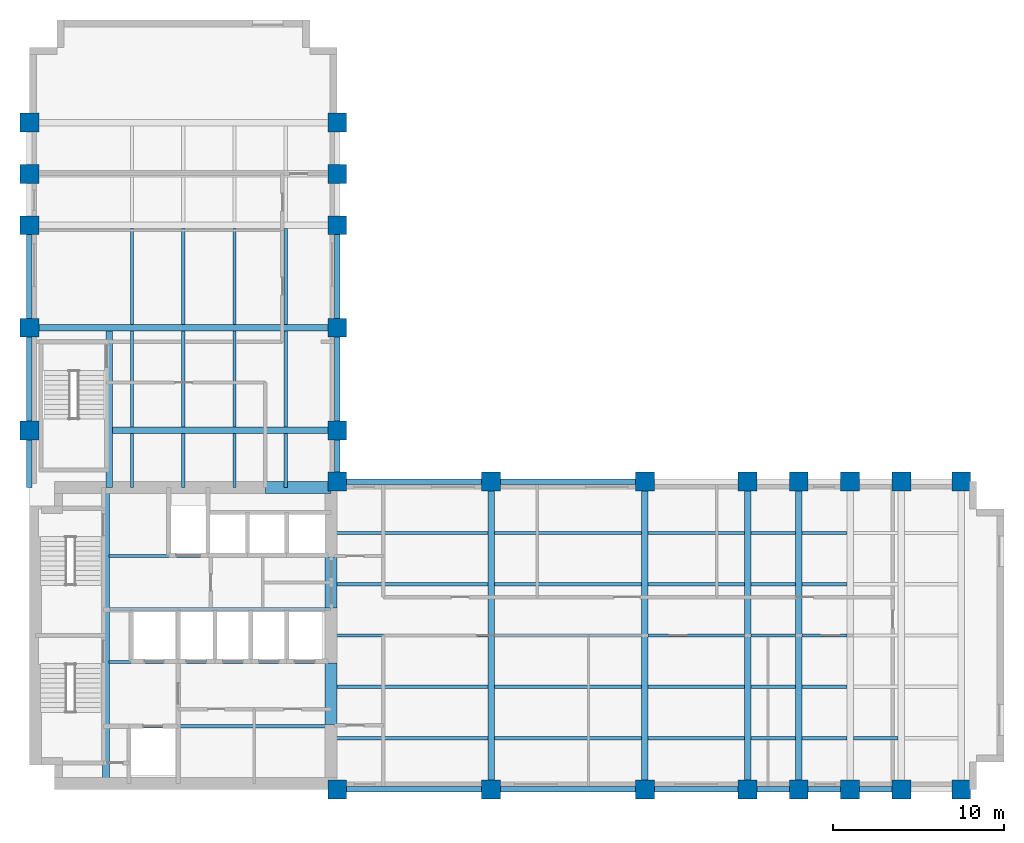
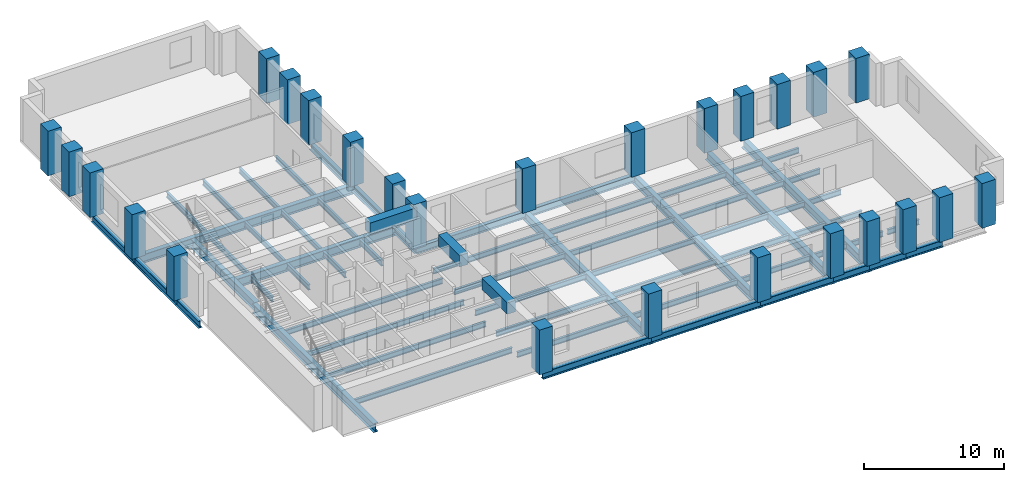
# One storey, part 1 of 7: 67 beams, 26 columns.
"""IFC4 building model written with IfcOpenShell, lengths in metres."""

from ifc_helpers import new_model, si_unit, direction, frame, origin, origin_2d, place, context, subcontext, project, spatial, rectangle, i_section, extrude, material, material_profile, profile_set, type_object, element, save


model = new_model("IFC4")

# Units and contexts
model_context = context("Model", 3, precision=1e-05, world=origin(), true_north=direction((0.0, 1.0)))
body_context = subcontext(model_context, "Body", "Model", "MODEL_VIEW")
ifc_project = project(units=[si_unit("LENGTHUNIT", "METRE"), si_unit("AREAUNIT", "SQUARE_METRE"), si_unit("VOLUMEUNIT", "CUBIC_METRE"), si_unit("PLANEANGLEUNIT", "RADIAN"), si_unit("MASSUNIT", "GRAM", prefix="KILO")], contexts=[model_context])

# Site, building, storey
site_placement = place(None, origin())
site = spatial("IfcSite", under=ifc_project, at=site_placement, CompositionType="ELEMENT")
building_placement = place(site_placement, origin())
building = spatial("IfcBuilding", under=site, at=building_placement, Name="Mawjdan Bourse Tower", CompositionType="ELEMENT")
storey_placement = place(building_placement, frame((0.0, 0.0, 108.89990234375)))
storey = spatial("IfcBuildingStorey", under=building, at=storey_placement, Name="L25", CompositionType="ELEMENT", Elevation=108.89990234375)

# Columns
ifc_material_1 = material(Name="Concrete C70/85", Category="concrete")
ifc_material_profile_1 = material_profile(ifc_material_1, rectangle(XDim=1.10009765625, YDim=1.10009765625, at=origin_2d()), Name="RC1100X1100")
ifc_profile_set_1 = profile_set([ifc_material_profile_1], Name="Concrete C70/85")
column_type = type_object("IfcColumnType", Name="COL-RC1100X1100", PredefinedType="COLUMN", material=ifc_profile_set_1)
for number, where, z_axis, x_axis, name in (
    (1, (24.0, 3.0, 0.0), (0.0, 0.0, 1.0), (1.0, 0.0, 0.0), "L25 Structural Column C-X240-Y30"),
    (2, (24.0, 21.0, 0.0), (0.0, 0.0, 1.0), (1.0, 0.0, 0.0), "L25 Structural Column C-X240-Y210"),
    (3, (33.0, 3.0, 0.0), (0.0, 0.0, 1.0), (1.0, 0.0, 0.0), "L25 Structural Column C-X330-Y30"),
    (4, (33.0, 21.0, 0.0), (0.0, 0.0, 1.0), (1.0, 0.0, 0.0), "L25 Structural Column C-X330-Y210"),
    (5, (42.0, 3.0, 0.0), (0.0, 0.0, 1.0), (1.0, 0.0, 0.0), "L25 Structural Column C-X420-Y30"),
    (6, (42.0, 21.0, 0.0), (0.0, 0.0, 1.0), (1.0, 0.0, 0.0), "L25 Structural Column C-X420-Y210"),
    (7, (48.0, 3.0, 0.0), (0.0, 0.0, 1.0), (1.0, 0.0, 0.0), "L25 Structural Column C-X480-Y30"),
    (8, (48.0, 21.0, 0.0), (0.0, 0.0, 1.0), (1.0, 0.0, 0.0), "L25 Structural Column C-X480-Y210"),
    (9, (51.0, 3.0, 0.0), (0.0, 0.0, 1.0), (1.0, 0.0, 0.0), "L25 Structural Column C-X510-Y30"),
    (10, (51.0, 21.0, 0.0), (0.0, 0.0, 1.0), (1.0, 0.0, 0.0), "L25 Structural Column C-X510-Y210"),
    (11, (54.0, 3.0, 0.0), (0.0, 0.0, 1.0), (1.0, 0.0, 0.0), "L25 Structural Column C-X540-Y30"),
    (12, (54.0, 21.0, 0.0), (0.0, 0.0, 1.0), (1.0, 0.0, 0.0), "L25 Structural Column C-X540-Y210"),
    (13, (57.0, 3.0, 0.0), (0.0, 0.0, 1.0), (1.0, 0.0, 0.0), "L25 Structural Column C-X570-Y30"),
    (14, (57.0, 21.0, 0.0), (0.0, 0.0, 1.0), (1.0, 0.0, 0.0), "L25 Structural Column C-X570-Y210"),
    (15, (60.5, 3.0, 0.0), (0.0, 0.0, 1.0), (1.0, 0.0, 0.0), "L25 Structural Column C-X605-Y30"),
    (16, (60.5, 21.0, 0.0), (0.0, 0.0, 1.0), (1.0, 0.0, 0.0), "L25 Structural Column C-X605-Y210"),
    (17, (6.0, 24.0, 0.0), (0.0, 0.0, 1.0), (1.0, 0.0, 0.0), "L25 Structural Column C-X60-Y240"),
    (18, (24.0, 24.0, 0.0), (0.0, 0.0, 1.0), (1.0, 0.0, 0.0), "L25 Structural Column C-X240-Y240"),
    (19, (6.0, 30.0, 0.0), (0.0, 0.0, 1.0), (1.0, 0.0, 0.0), "L25 Structural Column C-X60-Y300"),
    (20, (24.0, 30.0, 0.0), (0.0, 0.0, 1.0), (1.0, 0.0, 0.0), "L25 Structural Column C-X240-Y300"),
    (21, (6.0, 36.0, 0.0), (0.0, 0.0, 1.0), (1.0, 0.0, 0.0), "L25 Structural Column C-X60-Y360"),
    (22, (24.0, 36.0, 0.0), (0.0, 0.0, 1.0), (1.0, 0.0, 0.0), "L25 Structural Column C-X240-Y360"),
    (23, (6.0, 39.0, 0.0), (0.0, 0.0, 1.0), (1.0, 0.0, 0.0), "L25 Structural Column C-X60-Y390"),
    (24, (24.0, 39.0, 0.0), (0.0, 0.0, 1.0), (1.0, 0.0, 0.0), "L25 Structural Column C-X240-Y390"),
    (25, (6.0, 42.0, 0.0), (0.0, 0.0, 1.0), (1.0, 0.0, 0.0), "L25 Structural Column C-X60-Y420"),
    (26, (24.0, 42.0, 0.0), (0.0, 0.0, 1.0), (1.0, 0.0, 0.0), "L25 Structural Column C-X240-Y420"),
):
    element("IfcColumn", number, at=place(storey_placement, frame(where, z_axis=z_axis, x_axis=x_axis)), inside=storey, type_object=column_type, Name=name, PredefinedType="COLUMN", context=body_context, shape_type="SweptSolid", body=[
        extrude(rectangle(XDim=1.10009765625, YDim=1.10009765625, at=origin_2d()), origin(), (0.0, 0.0, 1.0), 3.900146484375),
    ])

# Beams
ifc_material_2 = material(Name="Structural Steel S355", Category="steel")
ifc_material_profile_2 = material_profile(ifc_material_2, i_section(OverallWidth=0.381103515625, OverallDepth=0.77294921875, WebThickness=0.0166015625, FlangeThickness=0.027099609375, FilletRadius=0.021728515625, at=origin_2d()), Name="W30X173")
ifc_profile_set_2 = profile_set([ifc_material_profile_2], Name="Structural Steel S355")
beam_type_1 = type_object("IfcBeamType", Name="GRD-W30X173", PredefinedType="BEAM", material=ifc_profile_set_2)
beam_1_placement = place(storey_placement, frame((10.47998046875, 3.35009765625, -0.58642578125), z_axis=(0.0, 1.0, 0.0), x_axis=(-1.0, 0.0, 0.0)))
element("IfcBeam", 27, at=beam_1_placement, inside=storey, type_object=beam_type_1, Name="L25 Core Stair Trimmer Girder 001", PredefinedType="BEAM", context=body_context, shape_type="SweptSolid", body=[
    extrude(i_section(OverallWidth=0.381103515625, OverallDepth=0.77294921875, WebThickness=0.0166015625, FlangeThickness=0.027099609375, FilletRadius=0.021728515625, at=origin_2d()), origin(), (0.0, 0.0, 1.0), 17.2998046875),
])
for number, where, z_axis, x_axis, name in (
    (28, (33.0, 3.0, -0.58642578125), (0.0, 1.0, 0.0), (-1.0, 0.0, 0.0), "L25 East Wing Clear-Span Girder 002"),
    (29, (42.0, 3.0, -0.58642578125), (0.0, 1.0, 0.0), (-1.0, 0.0, 0.0), "L25 East Wing Clear-Span Girder 003"),
    (30, (48.0, 3.0, -0.58642578125), (0.0, 1.0, 0.0), (-1.0, 0.0, 0.0), "L25 East Wing Clear-Span Girder 004"),
    (31, (51.0, 3.0, -0.58642578125), (0.0, 1.0, 0.0), (-1.0, 0.0, 0.0), "L25 East Wing Clear-Span Girder 005"),
):
    element("IfcBeam", number, at=place(storey_placement, frame(where, z_axis=z_axis, x_axis=x_axis)), inside=storey, type_object=beam_type_1, Name=name, PredefinedType="BEAM", context=body_context, shape_type="SweptSolid", body=[
        extrude(i_section(OverallWidth=0.381103515625, OverallDepth=0.77294921875, WebThickness=0.0166015625, FlangeThickness=0.027099609375, FilletRadius=0.021728515625, at=origin_2d()), origin(), (0.0, 0.0, 1.0), 18.0),
    ])
beam_2_placement = place(storey_placement, frame((10.679931640625, 20.64990234375, -0.58642578125), z_axis=(0.0, 1.0, 0.0), x_axis=(-1.0, 0.0, 0.0)))
element("IfcBeam", 32, at=beam_2_placement, inside=storey, type_object=beam_type_1, Name="L25 North Wing Stair Trimmer Girder 062", PredefinedType="BEAM", context=body_context, shape_type="SweptSolid", body=[
    extrude(i_section(OverallWidth=0.381103515625, OverallDepth=0.77294921875, WebThickness=0.0166015625, FlangeThickness=0.027099609375, FilletRadius=0.021728515625, at=origin_2d()), origin(), (0.0, 0.0, 1.0), 9.16162109375),
])
beam_3_placement = place(storey_placement, frame((10.868408203125, 24.0, -0.58642578125), z_axis=(1.0, 0.0, 0.0), x_axis=(0.0, 1.0, 0.0)))
element("IfcBeam", 33, at=beam_3_placement, inside=storey, type_object=beam_type_1, Name="L25 North Wing Clear-Span Girder 063", PredefinedType="BEAM", context=body_context, shape_type="SweptSolid", body=[
    extrude(i_section(OverallWidth=0.381103515625, OverallDepth=0.77294921875, WebThickness=0.0166015625, FlangeThickness=0.027099609375, FilletRadius=0.021728515625, at=origin_2d()), origin(), (0.0, 0.0, 1.0), 13.131591796875),
])
beam_4_placement = place(storey_placement, frame((6.0, 30.0, -0.58642578125), z_axis=(1.0, 0.0, 0.0), x_axis=(0.0, 1.0, 0.0)))
element("IfcBeam", 34, at=beam_4_placement, inside=storey, type_object=beam_type_1, Name="L25 North Wing Clear-Span Girder 064", PredefinedType="BEAM", context=body_context, shape_type="SweptSolid", body=[
    extrude(i_section(OverallWidth=0.381103515625, OverallDepth=0.77294921875, WebThickness=0.0166015625, FlangeThickness=0.027099609375, FilletRadius=0.021728515625, at=origin_2d()), origin(), (0.0, 0.0, 1.0), 18.0),
])
ifc_material_profile_3 = material_profile(ifc_material_2, i_section(OverallWidth=0.19189453125, OverallDepth=0.462890625, WebThickness=0.010498046875, FlangeThickness=0.017578125, FilletRadius=0.01416015625, at=origin_2d()), Name="W18X60")
ifc_profile_set_3 = profile_set([ifc_material_profile_3], Name="Structural Steel S355")
beam_type_2 = type_object("IfcBeamType", Name="JST-W18X60", PredefinedType="JOIST", material=ifc_profile_set_3)
beam_5_placement = place(storey_placement, frame((23.64990234375, 6.0, -0.431396484375), z_axis=(1.0, 0.0, 0.0), x_axis=(0.0, 1.0, 0.0)))
element("IfcBeam", 35, at=beam_5_placement, inside=storey, type_object=beam_type_2, Name="L25 East Wing Composite Joist 023", PredefinedType="JOIST", context=body_context, shape_type="SweptSolid", body=[
    extrude(i_section(OverallWidth=0.19189453125, OverallDepth=0.462890625, WebThickness=0.010498046875, FlangeThickness=0.017578125, FilletRadius=0.01416015625, at=origin_2d()), origin(), (0.0, 0.0, 1.0), 9.16162109375),
])
beam_6_placement = place(storey_placement, frame((33.1884765625, 6.0, -0.431396484375), z_axis=(1.0, 0.0, 0.0), x_axis=(0.0, 1.0, 0.0)))
element("IfcBeam", 36, at=beam_6_placement, inside=storey, type_object=beam_type_2, Name="L25 East Wing Composite Joist 024", PredefinedType="JOIST", context=body_context, shape_type="SweptSolid", body=[
    extrude(i_section(OverallWidth=0.19189453125, OverallDepth=0.462890625, WebThickness=0.010498046875, FlangeThickness=0.017578125, FilletRadius=0.01416015625, at=origin_2d()), origin(), (0.0, 0.0, 1.0), 8.623046875),
])
beam_7_placement = place(storey_placement, frame((42.1884765625, 6.0, -0.431396484375), z_axis=(1.0, 0.0, 0.0), x_axis=(0.0, 1.0, 0.0)))
element("IfcBeam", 37, at=beam_7_placement, inside=storey, type_object=beam_type_2, Name="L25 East Wing Composite Joist 025", PredefinedType="JOIST", context=body_context, shape_type="SweptSolid", body=[
    extrude(i_section(OverallWidth=0.19189453125, OverallDepth=0.462890625, WebThickness=0.010498046875, FlangeThickness=0.017578125, FilletRadius=0.01416015625, at=origin_2d()), origin(), (0.0, 0.0, 1.0), 5.623046875),
])
for number, where, z_axis, x_axis, name in (
    (38, (48.1884765625, 6.0, -0.431396484375), (1.0, 0.0, 0.0), (0.0, 1.0, 0.0), "L25 East Wing Composite Joist 026"),
    (39, (51.1884765625, 6.0, -0.431396484375), (1.0, 0.0, 0.0), (0.0, 1.0, 0.0), "L25 East Wing Composite Joist 027"),
    (40, (54.1884765625, 6.0, -0.431396484375), (1.0, 0.0, 0.0), (0.0, 1.0, 0.0), "L25 East Wing Composite Joist 028"),
):
    element("IfcBeam", number, at=place(storey_placement, frame(where, z_axis=z_axis, x_axis=x_axis)), inside=storey, type_object=beam_type_2, Name=name, PredefinedType="JOIST", context=body_context, shape_type="SweptSolid", body=[
        extrude(i_section(OverallWidth=0.19189453125, OverallDepth=0.462890625, WebThickness=0.010498046875, FlangeThickness=0.017578125, FilletRadius=0.01416015625, at=origin_2d()), origin(), (0.0, 0.0, 1.0), 2.623046875),
    ])
beam_8_placement = place(storey_placement, frame((23.64990234375, 9.0, -0.431396484375), z_axis=(1.0, 0.0, 0.0), x_axis=(0.0, 1.0, 0.0)))
element("IfcBeam", 41, at=beam_8_placement, inside=storey, type_object=beam_type_2, Name="L25 East Wing Composite Joist 030", PredefinedType="JOIST", context=body_context, shape_type="SweptSolid", body=[
    extrude(i_section(OverallWidth=0.19189453125, OverallDepth=0.462890625, WebThickness=0.010498046875, FlangeThickness=0.017578125, FilletRadius=0.01416015625, at=origin_2d()), origin(), (0.0, 0.0, 1.0), 9.16162109375),
])
beam_9_placement = place(storey_placement, frame((33.1884765625, 9.0, -0.431396484375), z_axis=(1.0, 0.0, 0.0), x_axis=(0.0, 1.0, 0.0)))
element("IfcBeam", 42, at=beam_9_placement, inside=storey, type_object=beam_type_2, Name="L25 East Wing Composite Joist 031", PredefinedType="JOIST", context=body_context, shape_type="SweptSolid", body=[
    extrude(i_section(OverallWidth=0.19189453125, OverallDepth=0.462890625, WebThickness=0.010498046875, FlangeThickness=0.017578125, FilletRadius=0.01416015625, at=origin_2d()), origin(), (0.0, 0.0, 1.0), 8.623046875),
])
beam_10_placement = place(storey_placement, frame((42.1884765625, 9.0, -0.431396484375), z_axis=(1.0, 0.0, 0.0), x_axis=(0.0, 1.0, 0.0)))
element("IfcBeam", 43, at=beam_10_placement, inside=storey, type_object=beam_type_2, Name="L25 East Wing Composite Joist 032", PredefinedType="JOIST", context=body_context, shape_type="SweptSolid", body=[
    extrude(i_section(OverallWidth=0.19189453125, OverallDepth=0.462890625, WebThickness=0.010498046875, FlangeThickness=0.017578125, FilletRadius=0.01416015625, at=origin_2d()), origin(), (0.0, 0.0, 1.0), 5.623046875),
])
for number, where, z_axis, x_axis, name in (
    (44, (48.1884765625, 9.0, -0.431396484375), (1.0, 0.0, 0.0), (0.0, 1.0, 0.0), "L25 East Wing Composite Joist 033"),
    (45, (51.1884765625, 9.0, -0.431396484375), (1.0, 0.0, 0.0), (0.0, 1.0, 0.0), "L25 East Wing Composite Joist 034"),
):
    element("IfcBeam", number, at=place(storey_placement, frame(where, z_axis=z_axis, x_axis=x_axis)), inside=storey, type_object=beam_type_2, Name=name, PredefinedType="JOIST", context=body_context, shape_type="SweptSolid", body=[
        extrude(i_section(OverallWidth=0.19189453125, OverallDepth=0.462890625, WebThickness=0.010498046875, FlangeThickness=0.017578125, FilletRadius=0.01416015625, at=origin_2d()), origin(), (0.0, 0.0, 1.0), 2.623046875),
    ])
beam_11_placement = place(storey_placement, frame((23.64990234375, 12.0, -0.431396484375), z_axis=(1.0, 0.0, 0.0), x_axis=(0.0, 1.0, 0.0)))
element("IfcBeam", 46, at=beam_11_placement, inside=storey, type_object=beam_type_2, Name="L25 East Wing Composite Joist 037", PredefinedType="JOIST", context=body_context, shape_type="SweptSolid", body=[
    extrude(i_section(OverallWidth=0.19189453125, OverallDepth=0.462890625, WebThickness=0.010498046875, FlangeThickness=0.017578125, FilletRadius=0.01416015625, at=origin_2d()), origin(), (0.0, 0.0, 1.0), 9.16162109375),
])
beam_12_placement = place(storey_placement, frame((33.1884765625, 12.0, -0.431396484375), z_axis=(1.0, 0.0, 0.0), x_axis=(0.0, 1.0, 0.0)))
element("IfcBeam", 47, at=beam_12_placement, inside=storey, type_object=beam_type_2, Name="L25 East Wing Composite Joist 038", PredefinedType="JOIST", context=body_context, shape_type="SweptSolid", body=[
    extrude(i_section(OverallWidth=0.19189453125, OverallDepth=0.462890625, WebThickness=0.010498046875, FlangeThickness=0.017578125, FilletRadius=0.01416015625, at=origin_2d()), origin(), (0.0, 0.0, 1.0), 8.623046875),
])
beam_13_placement = place(storey_placement, frame((42.1884765625, 12.0, -0.431396484375), z_axis=(1.0, 0.0, 0.0), x_axis=(0.0, 1.0, 0.0)))
element("IfcBeam", 48, at=beam_13_placement, inside=storey, type_object=beam_type_2, Name="L25 East Wing Composite Joist 039", PredefinedType="JOIST", context=body_context, shape_type="SweptSolid", body=[
    extrude(i_section(OverallWidth=0.19189453125, OverallDepth=0.462890625, WebThickness=0.010498046875, FlangeThickness=0.017578125, FilletRadius=0.01416015625, at=origin_2d()), origin(), (0.0, 0.0, 1.0), 5.623046875),
])
for number, where, z_axis, x_axis, name in (
    (49, (48.1884765625, 12.0, -0.431396484375), (1.0, 0.0, 0.0), (0.0, 1.0, 0.0), "L25 East Wing Composite Joist 040"),
    (50, (51.1884765625, 12.0, -0.431396484375), (1.0, 0.0, 0.0), (0.0, 1.0, 0.0), "L25 East Wing Composite Joist 041"),
):
    element("IfcBeam", number, at=place(storey_placement, frame(where, z_axis=z_axis, x_axis=x_axis)), inside=storey, type_object=beam_type_2, Name=name, PredefinedType="JOIST", context=body_context, shape_type="SweptSolid", body=[
        extrude(i_section(OverallWidth=0.19189453125, OverallDepth=0.462890625, WebThickness=0.010498046875, FlangeThickness=0.017578125, FilletRadius=0.01416015625, at=origin_2d()), origin(), (0.0, 0.0, 1.0), 2.623046875),
    ])
beam_14_placement = place(storey_placement, frame((23.64990234375, 15.0, -0.431396484375), z_axis=(1.0, 0.0, 0.0), x_axis=(0.0, 1.0, 0.0)))
element("IfcBeam", 51, at=beam_14_placement, inside=storey, type_object=beam_type_2, Name="L25 East Wing Composite Joist 044", PredefinedType="JOIST", context=body_context, shape_type="SweptSolid", body=[
    extrude(i_section(OverallWidth=0.19189453125, OverallDepth=0.462890625, WebThickness=0.010498046875, FlangeThickness=0.017578125, FilletRadius=0.01416015625, at=origin_2d()), origin(), (0.0, 0.0, 1.0), 9.16162109375),
])
beam_15_placement = place(storey_placement, frame((33.1884765625, 15.0, -0.431396484375), z_axis=(1.0, 0.0, 0.0), x_axis=(0.0, 1.0, 0.0)))
element("IfcBeam", 52, at=beam_15_placement, inside=storey, type_object=beam_type_2, Name="L25 East Wing Composite Joist 045", PredefinedType="JOIST", context=body_context, shape_type="SweptSolid", body=[
    extrude(i_section(OverallWidth=0.19189453125, OverallDepth=0.462890625, WebThickness=0.010498046875, FlangeThickness=0.017578125, FilletRadius=0.01416015625, at=origin_2d()), origin(), (0.0, 0.0, 1.0), 8.623046875),
])
beam_16_placement = place(storey_placement, frame((42.1884765625, 15.0, -0.431396484375), z_axis=(1.0, 0.0, 0.0), x_axis=(0.0, 1.0, 0.0)))
element("IfcBeam", 53, at=beam_16_placement, inside=storey, type_object=beam_type_2, Name="L25 East Wing Composite Joist 046", PredefinedType="JOIST", context=body_context, shape_type="SweptSolid", body=[
    extrude(i_section(OverallWidth=0.19189453125, OverallDepth=0.462890625, WebThickness=0.010498046875, FlangeThickness=0.017578125, FilletRadius=0.01416015625, at=origin_2d()), origin(), (0.0, 0.0, 1.0), 5.623046875),
])
for number, where, z_axis, x_axis, name in (
    (54, (48.1884765625, 15.0, -0.431396484375), (1.0, 0.0, 0.0), (0.0, 1.0, 0.0), "L25 East Wing Composite Joist 047"),
    (55, (51.1884765625, 15.0, -0.431396484375), (1.0, 0.0, 0.0), (0.0, 1.0, 0.0), "L25 East Wing Composite Joist 048"),
):
    element("IfcBeam", number, at=place(storey_placement, frame(where, z_axis=z_axis, x_axis=x_axis)), inside=storey, type_object=beam_type_2, Name=name, PredefinedType="JOIST", context=body_context, shape_type="SweptSolid", body=[
        extrude(i_section(OverallWidth=0.19189453125, OverallDepth=0.462890625, WebThickness=0.010498046875, FlangeThickness=0.017578125, FilletRadius=0.01416015625, at=origin_2d()), origin(), (0.0, 0.0, 1.0), 2.623046875),
    ])
beam_17_placement = place(storey_placement, frame((23.64990234375, 18.0, -0.431396484375), z_axis=(1.0, 0.0, 0.0), x_axis=(0.0, 1.0, 0.0)))
element("IfcBeam", 56, at=beam_17_placement, inside=storey, type_object=beam_type_2, Name="L25 East Wing Composite Joist 051", PredefinedType="JOIST", context=body_context, shape_type="SweptSolid", body=[
    extrude(i_section(OverallWidth=0.19189453125, OverallDepth=0.462890625, WebThickness=0.010498046875, FlangeThickness=0.017578125, FilletRadius=0.01416015625, at=origin_2d()), origin(), (0.0, 0.0, 1.0), 9.16162109375),
])
beam_18_placement = place(storey_placement, frame((33.1884765625, 18.0, -0.431396484375), z_axis=(1.0, 0.0, 0.0), x_axis=(0.0, 1.0, 0.0)))
element("IfcBeam", 57, at=beam_18_placement, inside=storey, type_object=beam_type_2, Name="L25 East Wing Composite Joist 052", PredefinedType="JOIST", context=body_context, shape_type="SweptSolid", body=[
    extrude(i_section(OverallWidth=0.19189453125, OverallDepth=0.462890625, WebThickness=0.010498046875, FlangeThickness=0.017578125, FilletRadius=0.01416015625, at=origin_2d()), origin(), (0.0, 0.0, 1.0), 8.623046875),
])
beam_19_placement = place(storey_placement, frame((42.1884765625, 18.0, -0.431396484375), z_axis=(1.0, 0.0, 0.0), x_axis=(0.0, 1.0, 0.0)))
element("IfcBeam", 58, at=beam_19_placement, inside=storey, type_object=beam_type_2, Name="L25 East Wing Composite Joist 053", PredefinedType="JOIST", context=body_context, shape_type="SweptSolid", body=[
    extrude(i_section(OverallWidth=0.19189453125, OverallDepth=0.462890625, WebThickness=0.010498046875, FlangeThickness=0.017578125, FilletRadius=0.01416015625, at=origin_2d()), origin(), (0.0, 0.0, 1.0), 5.623046875),
])
for number, where, z_axis, x_axis, name in (
    (59, (48.1884765625, 18.0, -0.431396484375), (1.0, 0.0, 0.0), (0.0, 1.0, 0.0), "L25 East Wing Composite Joist 054"),
    (60, (51.1884765625, 18.0, -0.431396484375), (1.0, 0.0, 0.0), (0.0, 1.0, 0.0), "L25 East Wing Composite Joist 055"),
):
    element("IfcBeam", number, at=place(storey_placement, frame(where, z_axis=z_axis, x_axis=x_axis)), inside=storey, type_object=beam_type_2, Name=name, PredefinedType="JOIST", context=body_context, shape_type="SweptSolid", body=[
        extrude(i_section(OverallWidth=0.19189453125, OverallDepth=0.462890625, WebThickness=0.010498046875, FlangeThickness=0.017578125, FilletRadius=0.01416015625, at=origin_2d()), origin(), (0.0, 0.0, 1.0), 2.623046875),
    ])
for number, where, z_axis, x_axis, name in (
    (61, (10.66845703125, 6.699951171875, -0.431396484375), (1.0, 0.0, 0.0), (0.0, 1.0, 0.0), "L25 Core Floor Joist 058"),
    (62, (10.66845703125, 10.449951171875, -0.431396484375), (1.0, 0.0, 0.0), (0.0, 1.0, 0.0), "L25 Core Floor Joist 059"),
    (63, (10.66845703125, 13.550048828125, -0.431396484375), (1.0, 0.0, 0.0), (0.0, 1.0, 0.0), "L25 Core Floor Joist 060"),
    (64, (10.66845703125, 16.64990234375, -0.431396484375), (1.0, 0.0, 0.0), (0.0, 1.0, 0.0), "L25 Core Floor Joist 061"),
):
    element("IfcBeam", number, at=place(storey_placement, frame(where, z_axis=z_axis, x_axis=x_axis)), inside=storey, type_object=beam_type_2, Name=name, PredefinedType="JOIST", context=body_context, shape_type="SweptSolid", body=[
        extrude(i_section(OverallWidth=0.19189453125, OverallDepth=0.462890625, WebThickness=0.010498046875, FlangeThickness=0.017578125, FilletRadius=0.01416015625, at=origin_2d()), origin(), (0.0, 0.0, 1.0), 12.9814453125),
    ])
beam_20_placement = place(storey_placement, frame((12.0, 20.64990234375, -0.431396484375), z_axis=(0.0, 1.0, 0.0), x_axis=(-1.0, 0.0, 0.0)))
element("IfcBeam", 65, at=beam_20_placement, inside=storey, type_object=beam_type_2, Name="L25 North Wing Composite Joist 078", PredefinedType="JOIST", context=body_context, shape_type="SweptSolid", body=[
    extrude(i_section(OverallWidth=0.19189453125, OverallDepth=0.462890625, WebThickness=0.010498046875, FlangeThickness=0.017578125, FilletRadius=0.01416015625, at=origin_2d()), origin(), (0.0, 0.0, 1.0), 3.16162109375),
])
for number, where, z_axis, x_axis, name in (
    (66, (12.0, 24.1884765625, -0.431396484375), (0.0, 1.0, 0.0), (-1.0, 0.0, 0.0), "L25 North Wing Composite Joist 079"),
    (67, (12.0, 30.1884765625, -0.431396484375), (0.0, 1.0, 0.0), (-1.0, 0.0, 0.0), "L25 North Wing Composite Joist 080"),
):
    element("IfcBeam", number, at=place(storey_placement, frame(where, z_axis=z_axis, x_axis=x_axis)), inside=storey, type_object=beam_type_2, Name=name, PredefinedType="JOIST", context=body_context, shape_type="SweptSolid", body=[
        extrude(i_section(OverallWidth=0.19189453125, OverallDepth=0.462890625, WebThickness=0.010498046875, FlangeThickness=0.017578125, FilletRadius=0.01416015625, at=origin_2d()), origin(), (0.0, 0.0, 1.0), 5.623046875),
    ])
beam_21_placement = place(storey_placement, frame((15.0, 20.64990234375, -0.431396484375), z_axis=(0.0, 1.0, 0.0), x_axis=(-1.0, 0.0, 0.0)))
element("IfcBeam", 68, at=beam_21_placement, inside=storey, type_object=beam_type_2, Name="L25 North Wing Composite Joist 083", PredefinedType="JOIST", context=body_context, shape_type="SweptSolid", body=[
    extrude(i_section(OverallWidth=0.19189453125, OverallDepth=0.462890625, WebThickness=0.010498046875, FlangeThickness=0.017578125, FilletRadius=0.01416015625, at=origin_2d()), origin(), (0.0, 0.0, 1.0), 3.16162109375),
])
for number, where, z_axis, x_axis, name in (
    (69, (15.0, 24.1884765625, -0.431396484375), (0.0, 1.0, 0.0), (-1.0, 0.0, 0.0), "L25 North Wing Composite Joist 084"),
    (70, (15.0, 30.1884765625, -0.431396484375), (0.0, 1.0, 0.0), (-1.0, 0.0, 0.0), "L25 North Wing Composite Joist 085"),
):
    element("IfcBeam", number, at=place(storey_placement, frame(where, z_axis=z_axis, x_axis=x_axis)), inside=storey, type_object=beam_type_2, Name=name, PredefinedType="JOIST", context=body_context, shape_type="SweptSolid", body=[
        extrude(i_section(OverallWidth=0.19189453125, OverallDepth=0.462890625, WebThickness=0.010498046875, FlangeThickness=0.017578125, FilletRadius=0.01416015625, at=origin_2d()), origin(), (0.0, 0.0, 1.0), 5.623046875),
    ])
beam_22_placement = place(storey_placement, frame((18.0, 20.64990234375, -0.431396484375), z_axis=(0.0, 1.0, 0.0), x_axis=(-1.0, 0.0, 0.0)))
element("IfcBeam", 71, at=beam_22_placement, inside=storey, type_object=beam_type_2, Name="L25 North Wing Composite Joist 088", PredefinedType="JOIST", context=body_context, shape_type="SweptSolid", body=[
    extrude(i_section(OverallWidth=0.19189453125, OverallDepth=0.462890625, WebThickness=0.010498046875, FlangeThickness=0.017578125, FilletRadius=0.01416015625, at=origin_2d()), origin(), (0.0, 0.0, 1.0), 3.16162109375),
])
for number, where, z_axis, x_axis, name in (
    (72, (18.0, 24.1884765625, -0.431396484375), (0.0, 1.0, 0.0), (-1.0, 0.0, 0.0), "L25 North Wing Composite Joist 089"),
    (73, (18.0, 30.1884765625, -0.431396484375), (0.0, 1.0, 0.0), (-1.0, 0.0, 0.0), "L25 North Wing Composite Joist 090"),
):
    element("IfcBeam", number, at=place(storey_placement, frame(where, z_axis=z_axis, x_axis=x_axis)), inside=storey, type_object=beam_type_2, Name=name, PredefinedType="JOIST", context=body_context, shape_type="SweptSolid", body=[
        extrude(i_section(OverallWidth=0.19189453125, OverallDepth=0.462890625, WebThickness=0.010498046875, FlangeThickness=0.017578125, FilletRadius=0.01416015625, at=origin_2d()), origin(), (0.0, 0.0, 1.0), 5.623046875),
    ])
beam_23_placement = place(storey_placement, frame((21.0, 20.64990234375, -0.431396484375), z_axis=(0.0, 1.0, 0.0), x_axis=(-1.0, 0.0, 0.0)))
element("IfcBeam", 74, at=beam_23_placement, inside=storey, type_object=beam_type_2, Name="L25 North Wing Composite Joist 093", PredefinedType="JOIST", context=body_context, shape_type="SweptSolid", body=[
    extrude(i_section(OverallWidth=0.19189453125, OverallDepth=0.462890625, WebThickness=0.010498046875, FlangeThickness=0.017578125, FilletRadius=0.01416015625, at=origin_2d()), origin(), (0.0, 0.0, 1.0), 3.16162109375),
])
for number, where, z_axis, x_axis, name in (
    (75, (21.0, 24.1884765625, -0.431396484375), (0.0, 1.0, 0.0), (-1.0, 0.0, 0.0), "L25 North Wing Composite Joist 094"),
    (76, (21.0, 30.1884765625, -0.431396484375), (0.0, 1.0, 0.0), (-1.0, 0.0, 0.0), "L25 North Wing Composite Joist 095"),
):
    element("IfcBeam", number, at=place(storey_placement, frame(where, z_axis=z_axis, x_axis=x_axis)), inside=storey, type_object=beam_type_2, Name=name, PredefinedType="JOIST", context=body_context, shape_type="SweptSolid", body=[
        extrude(i_section(OverallWidth=0.19189453125, OverallDepth=0.462890625, WebThickness=0.010498046875, FlangeThickness=0.017578125, FilletRadius=0.01416015625, at=origin_2d()), origin(), (0.0, 0.0, 1.0), 5.623046875),
    ])
ifc_material_profile_4 = material_profile(ifc_material_1, rectangle(XDim=0.699951171875, YDim=1.0, at=origin_2d()), Name="RCB700X1000")
ifc_profile_set_4 = profile_set([ifc_material_profile_4], Name="Concrete C70/85")
beam_type_3 = type_object("IfcBeamType", Name="LNT-RCB700X1000", PredefinedType="LINTEL", material=ifc_profile_set_4)
beam_24_placement = place(storey_placement, frame((23.64990234375, 6.800048828125, 3.2001953125), z_axis=(0.0, 1.0, 0.0), x_axis=(-1.0, 0.0, 0.0)))
element("IfcBeam", 77, at=beam_24_placement, inside=storey, type_object=beam_type_3, Name="L25 Coupled Core Lintel CB-E1", PredefinedType="LINTEL", context=body_context, shape_type="SweptSolid", body=[
    extrude(rectangle(XDim=0.699951171875, YDim=1.0, at=origin_2d()), origin(), (0.0, 0.0, 1.0), 3.599853515625),
])
beam_25_placement = place(storey_placement, frame((23.64990234375, 13.60009765625, 3.2001953125), z_axis=(0.0, 1.0, 0.0), x_axis=(-1.0, 0.0, 0.0)))
element("IfcBeam", 78, at=beam_25_placement, inside=storey, type_object=beam_type_3, Name="L25 Coupled Core Lintel CB-E2", PredefinedType="LINTEL", context=body_context, shape_type="SweptSolid", body=[
    extrude(rectangle(XDim=0.699951171875, YDim=1.0, at=origin_2d()), origin(), (0.0, 0.0, 1.0), 3.0),
])
beam_26_placement = place(storey_placement, frame((19.800048828125, 20.64990234375, 3.2001953125), z_axis=(1.0, 0.0, 0.0), x_axis=(0.0, 1.0, 0.0)))
element("IfcBeam", 79, at=beam_26_placement, inside=storey, type_object=beam_type_3, Name="L25 Coupled Core Lintel CB-N1", PredefinedType="LINTEL", context=body_context, shape_type="SweptSolid", body=[
    extrude(rectangle(XDim=0.699951171875, YDim=1.0, at=origin_2d()), origin(), (0.0, 0.0, 1.0), 3.849853515625),
])
ifc_material_profile_5 = material_profile(ifc_material_2, i_section(OverallWidth=0.324951171875, OverallDepth=0.616943359375, WebThickness=0.013916015625, FlangeThickness=0.021484375, FilletRadius=0.017333984375, at=origin_2d()), Name="W24X117")
ifc_profile_set_5 = profile_set([ifc_material_profile_5], Name="Structural Steel S355")
beam_type_4 = type_object("IfcBeamType", Name="SPN-W24X117", PredefinedType="SPANDREL", material=ifc_profile_set_5)
for number, where, z_axis, x_axis, name in (
    (80, (24.0, 3.0, -0.50830078125), (1.0, 0.0, 0.0), (0.0, 1.0, 0.0), "L25 Perimeter Masonry-Shelf Spandrel 009"),
    (81, (33.0, 3.0, -0.50830078125), (1.0, 0.0, 0.0), (0.0, 1.0, 0.0), "L25 Perimeter Masonry-Shelf Spandrel 010"),
):
    element("IfcBeam", number, at=place(storey_placement, frame(where, z_axis=z_axis, x_axis=x_axis)), inside=storey, type_object=beam_type_4, Name=name, PredefinedType="SPANDREL", context=body_context, shape_type="SweptSolid", body=[
        extrude(i_section(OverallWidth=0.324951171875, OverallDepth=0.616943359375, WebThickness=0.013916015625, FlangeThickness=0.021484375, FilletRadius=0.017333984375, at=origin_2d()), origin(), (0.0, 0.0, 1.0), 9.0),
    ])
beam_27_placement = place(storey_placement, frame((42.0, 3.0, -0.50830078125), z_axis=(1.0, 0.0, 0.0), x_axis=(0.0, 1.0, 0.0)))
element("IfcBeam", 82, at=beam_27_placement, inside=storey, type_object=beam_type_4, Name="L25 Perimeter Masonry-Shelf Spandrel 011", PredefinedType="SPANDREL", context=body_context, shape_type="SweptSolid", body=[
    extrude(i_section(OverallWidth=0.324951171875, OverallDepth=0.616943359375, WebThickness=0.013916015625, FlangeThickness=0.021484375, FilletRadius=0.017333984375, at=origin_2d()), origin(), (0.0, 0.0, 1.0), 6.0),
])
for number, where, z_axis, x_axis, name in (
    (83, (48.0, 3.0, -0.50830078125), (1.0, 0.0, 0.0), (0.0, 1.0, 0.0), "L25 Perimeter Masonry-Shelf Spandrel 012"),
    (84, (51.0, 3.0, -0.50830078125), (1.0, 0.0, 0.0), (0.0, 1.0, 0.0), "L25 Perimeter Masonry-Shelf Spandrel 013"),
    (85, (54.0, 3.0, -0.50830078125), (1.0, 0.0, 0.0), (0.0, 1.0, 0.0), "L25 Perimeter Masonry-Shelf Spandrel 014"),
):
    element("IfcBeam", number, at=place(storey_placement, frame(where, z_axis=z_axis, x_axis=x_axis)), inside=storey, type_object=beam_type_4, Name=name, PredefinedType="SPANDREL", context=body_context, shape_type="SweptSolid", body=[
        extrude(i_section(OverallWidth=0.324951171875, OverallDepth=0.616943359375, WebThickness=0.013916015625, FlangeThickness=0.021484375, FilletRadius=0.017333984375, at=origin_2d()), origin(), (0.0, 0.0, 1.0), 3.0),
    ])
for number, where, z_axis, x_axis, name in (
    (86, (24.0, 21.0, -0.50830078125), (1.0, 0.0, 0.0), (0.0, 1.0, 0.0), "L25 Perimeter Masonry-Shelf Spandrel 016"),
    (87, (33.0, 21.0, -0.50830078125), (1.0, 0.0, 0.0), (0.0, 1.0, 0.0), "L25 Perimeter Masonry-Shelf Spandrel 017"),
):
    element("IfcBeam", number, at=place(storey_placement, frame(where, z_axis=z_axis, x_axis=x_axis)), inside=storey, type_object=beam_type_4, Name=name, PredefinedType="SPANDREL", context=body_context, shape_type="SweptSolid", body=[
        extrude(i_section(OverallWidth=0.324951171875, OverallDepth=0.616943359375, WebThickness=0.013916015625, FlangeThickness=0.021484375, FilletRadius=0.017333984375, at=origin_2d()), origin(), (0.0, 0.0, 1.0), 9.0),
    ])
beam_28_placement = place(storey_placement, frame((6.0, 20.64990234375, -0.50830078125), z_axis=(0.0, 1.0, 0.0), x_axis=(-1.0, 0.0, 0.0)))
element("IfcBeam", 88, at=beam_28_placement, inside=storey, type_object=beam_type_4, Name="L25 North Wing Spandrel 068", PredefinedType="SPANDREL", context=body_context, shape_type="SweptSolid", body=[
    extrude(i_section(OverallWidth=0.324951171875, OverallDepth=0.616943359375, WebThickness=0.013916015625, FlangeThickness=0.021484375, FilletRadius=0.017333984375, at=origin_2d()), origin(), (0.0, 0.0, 1.0), 3.35009765625),
])
for number, where, z_axis, x_axis, name in (
    (89, (6.0, 24.0, -0.50830078125), (0.0, 1.0, 0.0), (-1.0, 0.0, 0.0), "L25 North Wing Spandrel 069"),
    (90, (6.0, 30.0, -0.50830078125), (0.0, 1.0, 0.0), (-1.0, 0.0, 0.0), "L25 North Wing Spandrel 070"),
):
    element("IfcBeam", number, at=place(storey_placement, frame(where, z_axis=z_axis, x_axis=x_axis)), inside=storey, type_object=beam_type_4, Name=name, PredefinedType="SPANDREL", context=body_context, shape_type="SweptSolid", body=[
        extrude(i_section(OverallWidth=0.324951171875, OverallDepth=0.616943359375, WebThickness=0.013916015625, FlangeThickness=0.021484375, FilletRadius=0.017333984375, at=origin_2d()), origin(), (0.0, 0.0, 1.0), 6.0),
    ])
beam_29_placement = place(storey_placement, frame((24.0, 21.0, -0.50830078125), z_axis=(0.0, 1.0, 0.0), x_axis=(-1.0, 0.0, 0.0)))
element("IfcBeam", 91, at=beam_29_placement, inside=storey, type_object=beam_type_4, Name="L25 North Wing Spandrel 073", PredefinedType="SPANDREL", context=body_context, shape_type="SweptSolid", body=[
    extrude(i_section(OverallWidth=0.324951171875, OverallDepth=0.616943359375, WebThickness=0.013916015625, FlangeThickness=0.021484375, FilletRadius=0.017333984375, at=origin_2d()), origin(), (0.0, 0.0, 1.0), 3.0),
])
for number, where, z_axis, x_axis, name in (
    (92, (24.0, 24.0, -0.50830078125), (0.0, 1.0, 0.0), (-1.0, 0.0, 0.0), "L25 North Wing Spandrel 074"),
    (93, (24.0, 30.0, -0.50830078125), (0.0, 1.0, 0.0), (-1.0, 0.0, 0.0), "L25 North Wing Spandrel 075"),
):
    element("IfcBeam", number, at=place(storey_placement, frame(where, z_axis=z_axis, x_axis=x_axis)), inside=storey, type_object=beam_type_4, Name=name, PredefinedType="SPANDREL", context=body_context, shape_type="SweptSolid", body=[
        extrude(i_section(OverallWidth=0.324951171875, OverallDepth=0.616943359375, WebThickness=0.013916015625, FlangeThickness=0.021484375, FilletRadius=0.017333984375, at=origin_2d()), origin(), (0.0, 0.0, 1.0), 6.0),
    ])

save(model, "model.ifc")
